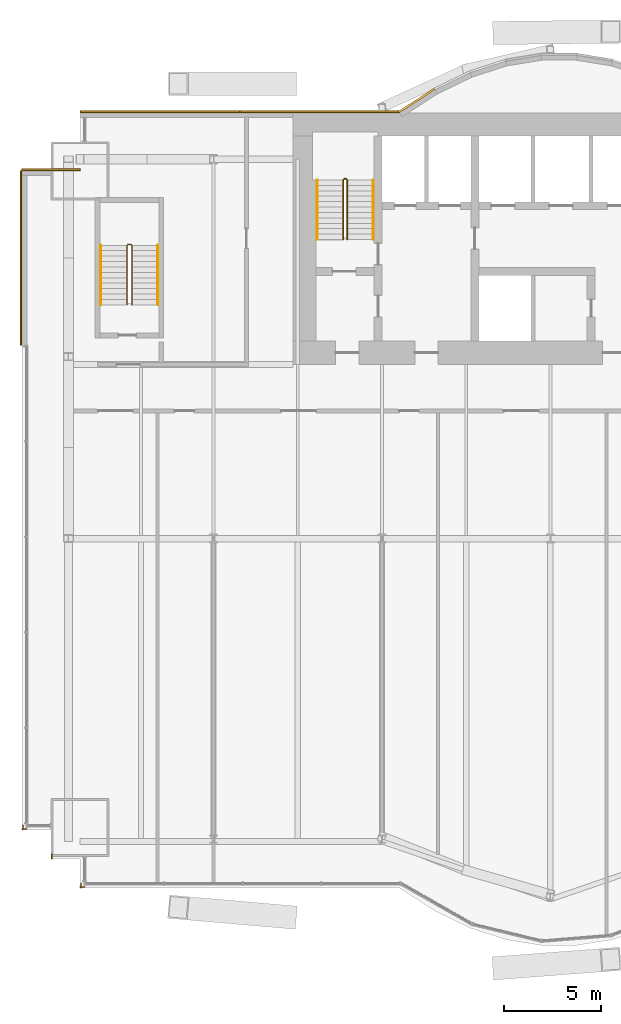
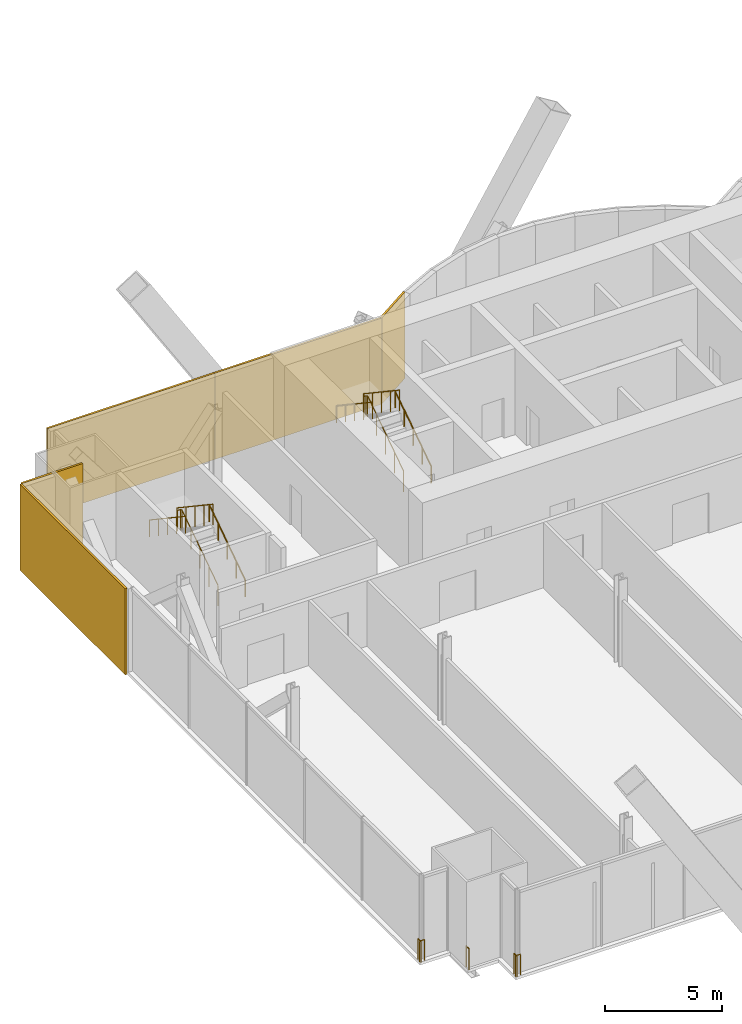
# One storey, part 20 of 22: 9 railings, 5 coverings.
"""IFC4 building model written with IfcOpenShell, lengths in metres."""

from ifc_helpers import new_model, si_unit, direction, frame, origin, origin_2d, place, context, subcontext, project, spatial, rectangle, circle, extrude, material, layer, layer_set, type_object, element, save


model = new_model("IFC4")

# Units and contexts
model_context = context("Model", 3, precision=1e-05, world=origin(), true_north=direction((0.0, 1.0)))
body_context = subcontext(model_context, "Body", "Model", "MODEL_VIEW")
ifc_project = project(units=[si_unit("LENGTHUNIT", "METRE"), si_unit("AREAUNIT", "SQUARE_METRE"), si_unit("VOLUMEUNIT", "CUBIC_METRE"), si_unit("PLANEANGLEUNIT", "RADIAN"), si_unit("MASSUNIT", "GRAM", prefix="KILO")], contexts=[model_context])

# Site, building, storey
site_placement = place(None, origin())
site = spatial("IfcSite", under=ifc_project, at=site_placement, CompositionType="ELEMENT")
building_placement = place(site_placement, origin())
building = spatial("IfcBuilding", under=site, at=building_placement, Name="Bicima Exchange Tower", CompositionType="ELEMENT")
storey_placement = place(building_placement, frame((0.0, 0.0, 71.0)))
storey = spatial("IfcBuildingStorey", under=building, at=storey_placement, Name="L14", CompositionType="ELEMENT", Elevation=71.0)

# Coverings
ifc_material_1 = material(Name="Bronze metal cladding")
ifc_layer_1 = layer(ifc_material_1, 0.004)
ifc_material_2 = material(Name="Ventilated cavity")
ifc_layer_2 = layer(ifc_material_2, 0.06)
ifc_material_3 = material(Name="Galvanised steel rail and mineral wool", Category="steel")
ifc_layer_3 = layer(ifc_material_3, 0.036)
ifc_layer_set = layer_set([ifc_layer_1, ifc_layer_2, ifc_layer_3], Name="Ventilated cavity")
covering_type = type_object("IfcCoveringType", Name="Bronze metal cladding panel 100", PredefinedType="CLADDING", material=ifc_layer_set)
covering_1_placement = place(storey_placement, frame((-15.610595703125, 0.634521484375, -0.14990234375), z_axis=(0.0, 0.0, 1.0), x_axis=(-0.839790466384, -0.542910648791, 0.0)))
element("IfcCovering", 1, at=covering_1_placement, inside=storey, type_object=covering_type, Name="Bronze cladding L14 19.1", PredefinedType="CLADDING", context=body_context, shape_type="SweptSolid", body=[
    extrude(rectangle(XDim=2.18310546875, YDim=0.10009765625, at=origin_2d()), origin(), (0.0, 0.0, 1.0), 4.5),
])
for number, where, z_axis, x_axis, name in (
    (2, (-20.625, 0.050048828125, -0.14990234375), (0.0, 0.0, 1.0), (-1.0, 0.0, 0.0), "Bronze cladding L14 20.1"),
    (3, (-28.875, 0.050048828125, -0.14990234375), (0.0, 0.0, 1.0), (-1.0, 0.0, 0.0), "Bronze cladding L14 20.2"),
):
    element("IfcCovering", number, at=place(storey_placement, frame(where, z_axis=z_axis, x_axis=x_axis)), inside=storey, type_object=covering_type, Name=name, PredefinedType="CLADDING", context=body_context, shape_type="SweptSolid", body=[
        extrude(rectangle(XDim=8.25, YDim=0.10009765625, at=origin_2d()), origin(), (0.0, 0.0, 1.0), 4.5),
    ])
covering_2_placement = place(storey_placement, frame((-34.5, -2.949951171875, -0.14990234375), z_axis=(0.0, 0.0, 1.0), x_axis=(-1.0, 0.0, 0.0)))
element("IfcCovering", 4, at=covering_2_placement, inside=storey, type_object=covering_type, Name="Bronze cladding L14 22.1", PredefinedType="CLADDING", context=body_context, shape_type="SweptSolid", body=[
    extrude(rectangle(XDim=3.0, YDim=0.10009765625, at=origin_2d()), origin(), (0.0, 0.0, 1.0), 4.5),
])
covering_3_placement = place(storey_placement, frame((-36.050048828125, -7.5, -0.14990234375), z_axis=(0.0, 0.0, 1.0), x_axis=(0.0, -1.0, 0.0)))
element("IfcCovering", 5, at=covering_3_placement, inside=storey, type_object=covering_type, Name="Bronze cladding L14 23.1", PredefinedType="CLADDING", context=body_context, shape_type="SweptSolid", body=[
    extrude(rectangle(XDim=9.0, YDim=0.10009765625, at=origin_2d()), origin(), (0.0, 0.0, 1.0), 4.5),
])

# Railings
ifc_material_4 = material(Name="Stainless steel and bonded safety glass", Category="steel")
railing_type_1 = type_object("IfcRailingType", Name="Edge guard 1100", PredefinedType="GUARDRAIL", material=ifc_material_4)
railing_1_placement = place(storey_placement, frame((-35.75, -36.998046875, 0.0)))
element("IfcRailing", 6, at=railing_1_placement, inside=storey, type_object=railing_type_1, Name="Edge guard L14 63", PredefinedType="GUARDRAIL", context=body_context, shape_type="SweptSolid", body=[
    extrude(circle(Radius=0.02392578125, at=origin_2d()), frame((0.0, 0.0, 1.076171875), z_axis=(-1.0, 0.0, 0.0), x_axis=(0.0, -1.0, 0.0)), (0.0, 0.0, 1.0), 0.25),
    extrude(circle(Radius=0.02392578125, at=origin_2d()), frame((-0.25, 0.0, 1.076171875), z_axis=(0.707106781187, -0.707106781187, 0.0), x_axis=(0.707106781187, 0.707106781187, 0.0)), (0.0, 0.0, 1.0), 0.07080078125),
    extrude(circle(Radius=0.02392578125, at=origin_2d()), frame((-0.199951171875, -0.050048828125, 1.076171875), z_axis=(0.0, 1.0, 0.0), x_axis=(-1.0, 0.0, 0.0)), (0.0, 0.0, 1.0), 0.2490234375),
    extrude(circle(Radius=0.02099609375, at=origin_2d()), origin(), (0.0, 0.0, 1.0), 1.052001953125),
    extrude(circle(Radius=0.02099609375, at=origin_2d()), frame((-0.25, 0.0, 0.0)), (0.0, 0.0, 1.0), 1.052001953125),
    extrude(circle(Radius=0.02099609375, at=origin_2d()), frame((-0.199951171875, -0.050048828125, 0.0)), (0.0, 0.0, 1.0), 1.052001953125),
    extrude(circle(Radius=0.02099609375, at=origin_2d()), frame((-0.199951171875, 0.198974609375, 0.0)), (0.0, 0.0, 1.0), 1.052001953125),
])
railing_2_placement = place(storey_placement, frame((-32.75, -39.998046875, 0.0)))
element("IfcRailing", 7, at=railing_2_placement, inside=storey, type_object=railing_type_1, Name="Edge guard L14 67", PredefinedType="GUARDRAIL", context=body_context, shape_type="SweptSolid", body=[
    extrude(circle(Radius=0.02392578125, at=origin_2d()), frame((0.0, 0.0, 1.076171875), z_axis=(-1.0, 0.0, 0.0), x_axis=(0.0, -1.0, 0.0)), (0.0, 0.0, 1.0), 0.25),
    extrude(circle(Radius=0.02392578125, at=origin_2d()), frame((-0.25, 0.0, 1.076171875), z_axis=(0.707106781187, -0.707106781187, 0.0), x_axis=(0.707106781187, 0.707106781187, 0.0)), (0.0, 0.0, 1.0), 0.07080078125),
    extrude(circle(Radius=0.02392578125, at=origin_2d()), frame((-0.199951171875, -0.050048828125, 1.076171875), z_axis=(0.0, 1.0, 0.0), x_axis=(-1.0, 0.0, 0.0)), (0.0, 0.0, 1.0), 0.25),
    extrude(circle(Radius=0.02099609375, at=origin_2d()), origin(), (0.0, 0.0, 1.0), 1.052001953125),
    extrude(circle(Radius=0.02099609375, at=origin_2d()), frame((-0.25, 0.0, 0.0)), (0.0, 0.0, 1.0), 1.052001953125),
    extrude(circle(Radius=0.02099609375, at=origin_2d()), frame((-0.199951171875, -0.050048828125, 0.0)), (0.0, 0.0, 1.0), 1.052001953125),
    extrude(circle(Radius=0.02099609375, at=origin_2d()), frame((-0.199951171875, 0.199951171875, 0.0)), (0.0, 0.0, 1.0), 1.052001953125),
])
railing_3_placement = place(storey_placement, frame((-34.449951171875, -38.548095703125, 0.0)))
element("IfcRailing", 8, at=railing_3_placement, inside=storey, type_object=railing_type_1, Name="Edge guard L14 68", PredefinedType="GUARDRAIL", context=body_context, shape_type="SweptSolid", body=[
    extrude(circle(Radius=0.02392578125, at=origin_2d()), frame((0.0, 0.0, 1.076171875), z_axis=(0.0, 1.0, 0.0), x_axis=(-1.0, 0.0, 0.0)), (0.0, 0.0, 1.0), 0.25),
    extrude(circle(Radius=0.02099609375, at=origin_2d()), origin(), (0.0, 0.0, 1.0), 1.052001953125),
    extrude(circle(Radius=0.02099609375, at=origin_2d()), frame((0.0, 0.25, 0.0)), (0.0, 0.0, 1.0), 1.052001953125),
])
ifc_material_5 = material(Name="Stainless steel", Category="steel")
railing_type_2 = type_object("IfcRailingType", Name="Stair guard 1100", PredefinedType="GUARDRAIL", material=ifc_material_5)
railing_4_placement = place(storey_placement, frame((-19.199951171875, -6.550048828125, 0.1875)))
element("IfcRailing", 9, at=railing_4_placement, inside=storey, type_object=railing_type_2, Name="L14 ST-W stair guard 1", PredefinedType="GUARDRAIL", context=body_context, shape_type="SweptSolid", body=[
    extrude(circle(Radius=0.02392578125, at=origin_2d()), frame((0.0, 0.0, 1.076171875), z_axis=(0.0, 0.830913701846, 0.55640131208), x_axis=(-1.0, 0.0, 0.0)), (0.0, 0.0, 1.0), 3.706787109375),
    extrude(circle(Radius=0.02392578125, at=origin_2d()), frame((0.0, 3.080078125, 3.138671875), z_axis=(-0.707106781187, 0.707106781187, 0.0), x_axis=(-0.707106781187, -0.707106781187, 0.0)), (0.0, 0.0, 1.0), 0.07080078125),
    extrude(circle(Radius=0.02392578125, at=origin_2d()), frame((-0.050048828125, 3.130126953125, 3.138671875), z_axis=(-1.0, 0.0, 0.0), x_axis=(0.0, -1.0, 0.0)), (0.0, 0.0, 1.0), 0.10009765625),
    extrude(circle(Radius=0.02392578125, at=origin_2d()), frame((-0.150146484375, 3.130126953125, 3.138671875), z_axis=(-0.248583702486, -0.249802250048, 0.935844527007), x_axis=(0.708833529934, -0.705375805398, 0.0)), (0.0, 0.0, 1.0), 0.200439453125),
    extrude(circle(Radius=0.02392578125, at=origin_2d()), frame((-0.199951171875, 3.080078125, 3.326171875), z_axis=(0.0, -0.830913701846, 0.55640131208), x_axis=(1.0, 0.0, 0.0)), (0.0, 0.0, 1.0), 3.706787109375),
    extrude(circle(Radius=0.02099609375, at=origin_2d()), origin(), (0.0, 0.0, 1.0), 1.052001953125),
    extrude(circle(Radius=0.02099609375, at=origin_2d()), frame((0.0, 0.77001953125, 0.515625)), (0.0, 0.0, 1.0), 1.052001953125),
    extrude(circle(Radius=0.02099609375, at=origin_2d()), frame((0.0, 1.5400390625, 1.03125)), (0.0, 0.0, 1.0), 1.052001953125),
    extrude(circle(Radius=0.02099609375, at=origin_2d()), frame((0.0, 2.31005859375, 1.546875)), (0.0, 0.0, 1.0), 1.052001953125),
    extrude(circle(Radius=0.02099609375, at=origin_2d()), frame((0.0, 3.080078125, 2.0625)), (0.0, 0.0, 1.0), 1.052001953125),
    extrude(circle(Radius=0.02099609375, at=origin_2d()), frame((-0.050048828125, 3.130126953125, 2.0625)), (0.0, 0.0, 1.0), 1.052001953125),
    extrude(circle(Radius=0.02099609375, at=origin_2d()), frame((-0.150146484375, 3.130126953125, 2.0625)), (0.0, 0.0, 1.0), 1.052001953125),
    extrude(circle(Radius=0.02099609375, at=origin_2d()), frame((-0.199951171875, 3.080078125, 2.25)), (0.0, 0.0, 1.0), 1.052001953125),
    extrude(circle(Radius=0.02099609375, at=origin_2d()), frame((-0.199951171875, 2.31005859375, 2.765625)), (0.0, 0.0, 1.0), 1.052001953125),
    extrude(circle(Radius=0.02099609375, at=origin_2d()), frame((-0.199951171875, 1.5400390625, 3.28125)), (0.0, 0.0, 1.0), 1.052001953125),
    extrude(circle(Radius=0.02099609375, at=origin_2d()), frame((-0.199951171875, 0.77001953125, 3.796875)), (0.0, 0.0, 1.0), 1.052001953125),
    extrude(circle(Radius=0.02099609375, at=origin_2d()), frame((-0.199951171875, 0.0, 4.3125)), (0.0, 0.0, 1.0), 1.052001953125),
])
railing_5_placement = place(storey_placement, frame((-30.324951171875, -9.925048828125, 0.1875)))
element("IfcRailing", 10, at=railing_5_placement, inside=storey, type_object=railing_type_2, Name="L14 ST-WW stair guard 1", PredefinedType="GUARDRAIL", context=body_context, shape_type="SweptSolid", body=[
    extrude(circle(Radius=0.02392578125, at=origin_2d()), frame((0.0, 0.0, 1.076171875), z_axis=(0.0, 0.830913701846, 0.55640131208), x_axis=(-1.0, 0.0, 0.0)), (0.0, 0.0, 1.0), 3.706787109375),
    extrude(circle(Radius=0.02392578125, at=origin_2d()), frame((0.0, 3.080078125, 3.138671875), z_axis=(-0.707106781187, 0.707106781187, 0.0), x_axis=(-0.707106781187, -0.707106781187, 0.0)), (0.0, 0.0, 1.0), 0.07080078125),
    extrude(circle(Radius=0.02392578125, at=origin_2d()), frame((-0.050048828125, 3.130126953125, 3.138671875), z_axis=(-1.0, 0.0, 0.0), x_axis=(0.0, -1.0, 0.0)), (0.0, 0.0, 1.0), 0.14990234375),
    extrude(circle(Radius=0.02392578125, at=origin_2d()), frame((-0.199951171875, 3.130126953125, 3.138671875), z_axis=(-0.249726431254, -0.249726431254, 0.935560483917), x_axis=(0.707106781187, -0.707106781187, 0.0)), (0.0, 0.0, 1.0), 0.200439453125),
    extrude(circle(Radius=0.02392578125, at=origin_2d()), frame((-0.25, 3.080078125, 3.326171875), z_axis=(0.0, -0.830913701846, 0.55640131208), x_axis=(1.0, 0.0, 0.0)), (0.0, 0.0, 1.0), 3.706787109375),
    extrude(circle(Radius=0.02099609375, at=origin_2d()), origin(), (0.0, 0.0, 1.0), 1.052001953125),
    extrude(circle(Radius=0.02099609375, at=origin_2d()), frame((0.0, 0.77001953125, 0.515625)), (0.0, 0.0, 1.0), 1.052001953125),
    extrude(circle(Radius=0.02099609375, at=origin_2d()), frame((0.0, 1.5400390625, 1.03125)), (0.0, 0.0, 1.0), 1.052001953125),
    extrude(circle(Radius=0.02099609375, at=origin_2d()), frame((0.0, 2.31005859375, 1.546875)), (0.0, 0.0, 1.0), 1.052001953125),
    extrude(circle(Radius=0.02099609375, at=origin_2d()), frame((0.0, 3.080078125, 2.0625)), (0.0, 0.0, 1.0), 1.052001953125),
    extrude(circle(Radius=0.02099609375, at=origin_2d()), frame((-0.050048828125, 3.130126953125, 2.0625)), (0.0, 0.0, 1.0), 1.052001953125),
    extrude(circle(Radius=0.02099609375, at=origin_2d()), frame((-0.199951171875, 3.130126953125, 2.0625)), (0.0, 0.0, 1.0), 1.052001953125),
    extrude(circle(Radius=0.02099609375, at=origin_2d()), frame((-0.25, 3.080078125, 2.25)), (0.0, 0.0, 1.0), 1.052001953125),
    extrude(circle(Radius=0.02099609375, at=origin_2d()), frame((-0.25, 2.31005859375, 2.765625)), (0.0, 0.0, 1.0), 1.052001953125),
    extrude(circle(Radius=0.02099609375, at=origin_2d()), frame((-0.25, 1.5400390625, 3.28125)), (0.0, 0.0, 1.0), 1.052001953125),
    extrude(circle(Radius=0.02099609375, at=origin_2d()), frame((-0.25, 0.77001953125, 3.796875)), (0.0, 0.0, 1.0), 1.052001953125),
    extrude(circle(Radius=0.02099609375, at=origin_2d()), frame((-0.25, 0.0, 4.3125)), (0.0, 0.0, 1.0), 1.052001953125),
])
railing_type_3 = type_object("IfcRailingType", Name="Stair handrail 900", PredefinedType="HANDRAIL", material=ifc_material_5)
railing_6_placement = place(storey_placement, frame((-17.85009765625, -6.550048828125, 0.1875)))
element("IfcRailing", 11, at=railing_6_placement, inside=storey, type_object=railing_type_3, Name="L14 ST-W stair handrail 1", PredefinedType="HANDRAIL", context=body_context, shape_type="SweptSolid", body=[
    extrude(circle(Radius=0.02392578125, at=origin_2d()), frame((0.0, 0.0, 0.8759765625), z_axis=(0.0, 0.830913701846, 0.55640131208), x_axis=(-1.0, 0.0, 0.0)), (0.0, 0.0, 1.0), 3.706787109375),
    extrude(circle(Radius=0.02099609375, at=origin_2d()), origin(), (0.0, 0.0, 1.0), 0.851806640625),
    extrude(circle(Radius=0.02099609375, at=origin_2d()), frame((0.0, 0.77001953125, 0.515625)), (0.0, 0.0, 1.0), 0.851806640625),
    extrude(circle(Radius=0.02099609375, at=origin_2d()), frame((0.0, 1.5400390625, 1.03125)), (0.0, 0.0, 1.0), 0.851806640625),
    extrude(circle(Radius=0.02099609375, at=origin_2d()), frame((0.0, 2.31005859375, 1.546875)), (0.0, 0.0, 1.0), 0.851806640625),
    extrude(circle(Radius=0.02099609375, at=origin_2d()), frame((0.0, 3.080078125, 2.0625)), (0.0, 0.0, 1.0), 0.851806640625),
])
railing_7_placement = place(storey_placement, frame((-20.75, -3.469970703125, 2.47900390625)))
element("IfcRailing", 12, at=railing_7_placement, inside=storey, type_object=railing_type_3, Name="L14 ST-W stair handrail 2", PredefinedType="HANDRAIL", context=body_context, shape_type="SweptSolid", body=[
    extrude(circle(Radius=0.02392578125, at=origin_2d()), frame((0.0, 0.0, 0.8759765625), z_axis=(0.0, -0.830913701846, 0.55640131208), x_axis=(1.0, 0.0, 0.0)), (0.0, 0.0, 1.0), 3.706787109375),
    extrude(circle(Radius=0.02099609375, at=origin_2d()), origin(), (0.0, 0.0, 1.0), 0.851806640625),
    extrude(circle(Radius=0.02099609375, at=origin_2d()), frame((0.0, -0.77001953125, 0.515625)), (0.0, 0.0, 1.0), 0.851806640625),
    extrude(circle(Radius=0.02099609375, at=origin_2d()), frame((0.0, -1.5400390625, 1.03125)), (0.0, 0.0, 1.0), 0.851806640625),
    extrude(circle(Radius=0.02099609375, at=origin_2d()), frame((0.0, -2.31005859375, 1.546875)), (0.0, 0.0, 1.0), 0.851806640625),
    extrude(circle(Radius=0.02099609375, at=origin_2d()), frame((0.0, -3.080078125, 2.0625)), (0.0, 0.0, 1.0), 0.851806640625),
])
railing_8_placement = place(storey_placement, frame((-28.97509765625, -9.925048828125, 0.1875)))
element("IfcRailing", 13, at=railing_8_placement, inside=storey, type_object=railing_type_3, Name="L14 ST-WW stair handrail 1", PredefinedType="HANDRAIL", context=body_context, shape_type="SweptSolid", body=[
    extrude(circle(Radius=0.02392578125, at=origin_2d()), frame((0.0, 0.0, 0.8759765625), z_axis=(0.0, 0.830913701846, 0.55640131208), x_axis=(-1.0, 0.0, 0.0)), (0.0, 0.0, 1.0), 3.706787109375),
    extrude(circle(Radius=0.02099609375, at=origin_2d()), origin(), (0.0, 0.0, 1.0), 0.851806640625),
    extrude(circle(Radius=0.02099609375, at=origin_2d()), frame((0.0, 0.77001953125, 0.515625)), (0.0, 0.0, 1.0), 0.851806640625),
    extrude(circle(Radius=0.02099609375, at=origin_2d()), frame((0.0, 1.5400390625, 1.03125)), (0.0, 0.0, 1.0), 0.851806640625),
    extrude(circle(Radius=0.02099609375, at=origin_2d()), frame((0.0, 2.31005859375, 1.546875)), (0.0, 0.0, 1.0), 0.851806640625),
    extrude(circle(Radius=0.02099609375, at=origin_2d()), frame((0.0, 3.080078125, 2.0625)), (0.0, 0.0, 1.0), 0.851806640625),
])
railing_9_placement = place(storey_placement, frame((-31.925048828125, -6.844970703125, 2.47900390625)))
element("IfcRailing", 14, at=railing_9_placement, inside=storey, type_object=railing_type_3, Name="L14 ST-WW stair handrail 2", PredefinedType="HANDRAIL", context=body_context, shape_type="SweptSolid", body=[
    extrude(circle(Radius=0.02392578125, at=origin_2d()), frame((0.0, 0.0, 0.8759765625), z_axis=(0.0, -0.830913701846, 0.55640131208), x_axis=(1.0, 0.0, 0.0)), (0.0, 0.0, 1.0), 3.706787109375),
    extrude(circle(Radius=0.02099609375, at=origin_2d()), origin(), (0.0, 0.0, 1.0), 0.851806640625),
    extrude(circle(Radius=0.02099609375, at=origin_2d()), frame((0.0, -0.77001953125, 0.515625)), (0.0, 0.0, 1.0), 0.851806640625),
    extrude(circle(Radius=0.02099609375, at=origin_2d()), frame((0.0, -1.5400390625, 1.03125)), (0.0, 0.0, 1.0), 0.851806640625),
    extrude(circle(Radius=0.02099609375, at=origin_2d()), frame((0.0, -2.31005859375, 1.546875)), (0.0, 0.0, 1.0), 0.851806640625),
    extrude(circle(Radius=0.02099609375, at=origin_2d()), frame((0.0, -3.080078125, 2.0625)), (0.0, 0.0, 1.0), 0.851806640625),
])

save(model, "model.ifc")
